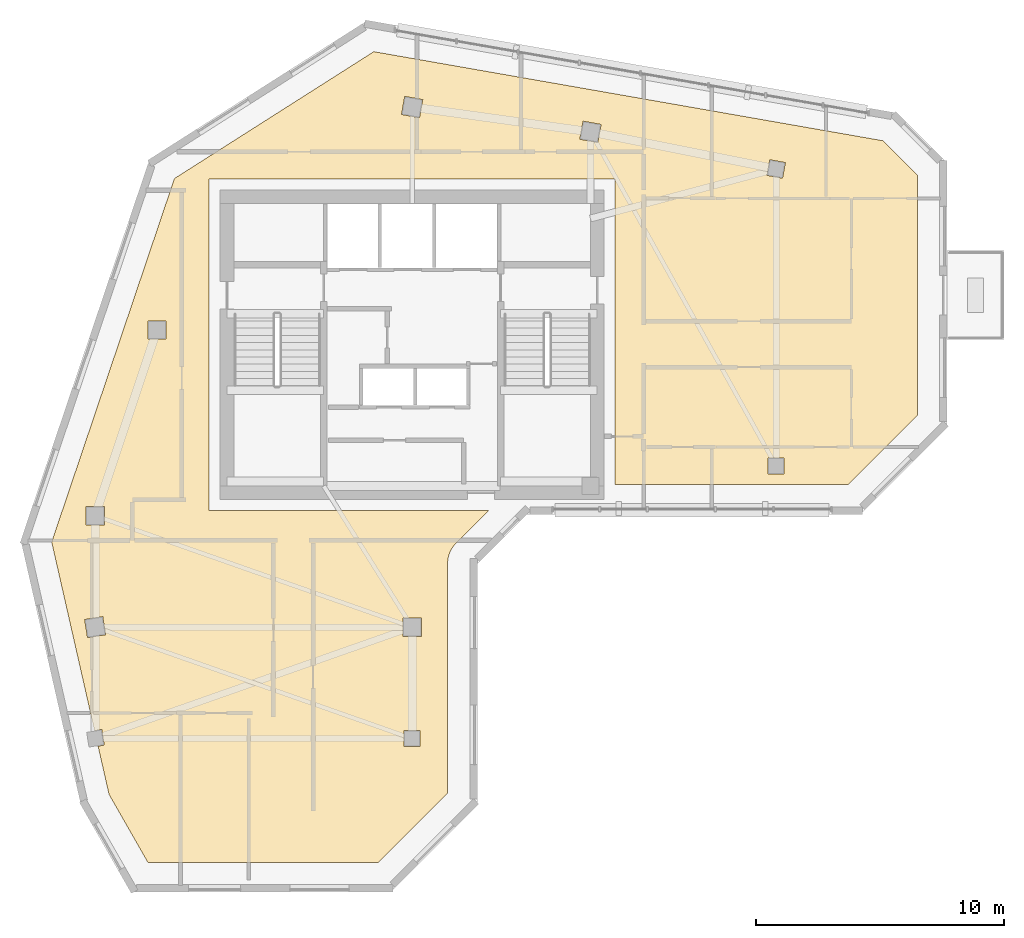
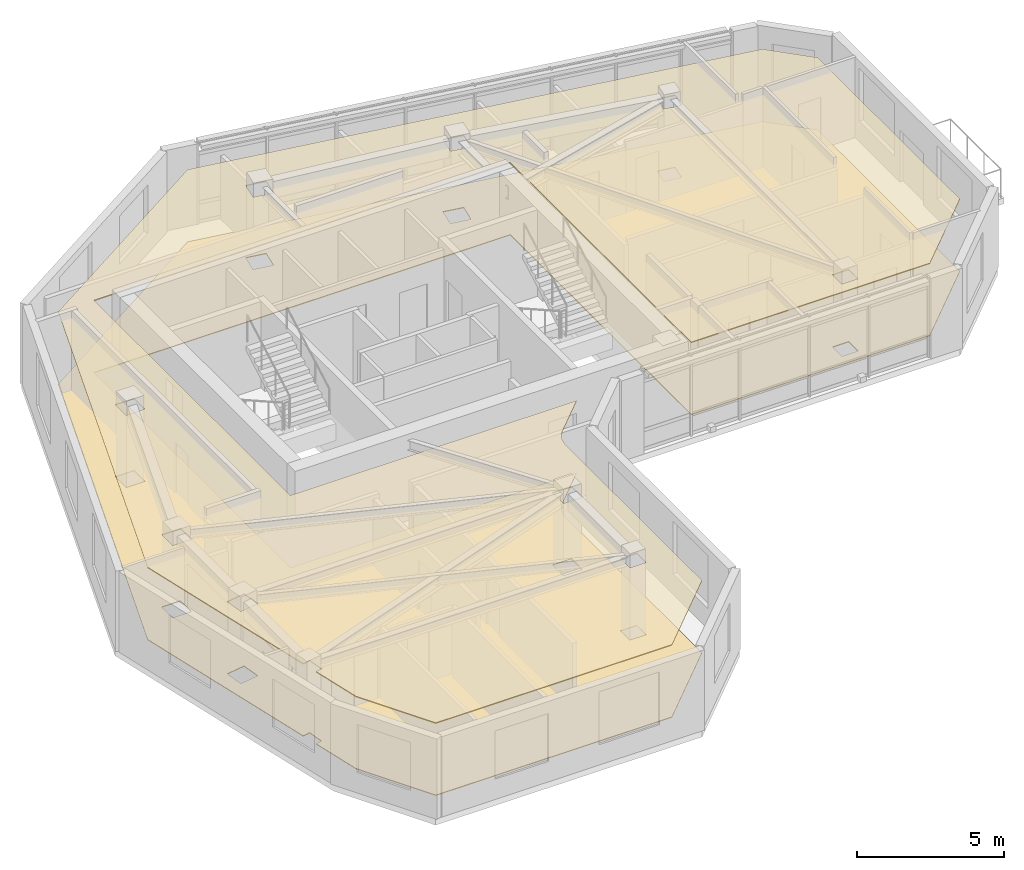
# One storey, part 8 of 9: 2 coverings.
"""IFC4 building model written with IfcOpenShell, lengths in metres."""

from ifc_helpers import new_model, si_unit, direction, frame, origin, place, context, subcontext, project, spatial, polyline, outline, extrude, material, layer, layer_set, type_object, element, save


model = new_model("IFC4")

# Units and contexts
model_context = context("Model", 3, precision=1e-05, world=origin(), true_north=direction((0.0, 1.0)))
body_context = subcontext(model_context, "Body", "Model", "MODEL_VIEW")
ifc_project = project(units=[si_unit("LENGTHUNIT", "METRE"), si_unit("AREAUNIT", "SQUARE_METRE"), si_unit("VOLUMEUNIT", "CUBIC_METRE"), si_unit("PLANEANGLEUNIT", "RADIAN"), si_unit("MASSUNIT", "GRAM", prefix="KILO")], contexts=[model_context])

# Site, building, storey
site_placement = place(None, origin())
site = spatial("IfcSite", under=ifc_project, at=site_placement, CompositionType="ELEMENT")
building_placement = place(site_placement, origin())
building = spatial("IfcBuilding", under=site, at=building_placement, Name="Calvemar Wedge Station Tower", CompositionType="ELEMENT")
storey_placement = place(building_placement, frame((0.0, 0.0, 260.10009765625)))
storey = spatial("IfcBuildingStorey", under=building, at=storey_placement, Name="L66", CompositionType="ELEMENT", Elevation=260.10009765625)

# Coverings
ifc_material_1 = material(Name="Moisture-resistant gypsum ceiling")
ifc_layer_1 = layer(ifc_material_1, 0.0400390625)
ifc_layer_set_1 = layer_set([ifc_layer_1], Name="Moisture-resistant gypsum ceiling")
covering_type_1 = type_object("IfcCoveringType", Name="COV-CEIL-GYPSUM", PredefinedType="CEILING", material=ifc_layer_set_1)
covering_1_placement = place(storey_placement, frame((0.0, 0.0, 3.0)))
element("IfcCovering", 1, at=covering_1_placement, inside=storey, type_object=covering_type_1, Name="Storey L66 Acoustic Suspended Ceiling", PredefinedType="CEILING", context=body_context, shape_type="SweptSolid", body=[
    extrude(outline(polyline([(15.60009765625, 33.199951171875), (15.60009765625, 46.60009765625), (32.0, 46.60009765625), (32.0, 34.256103515625), (41.40283203125, 34.256103515625), (44.199951171875, 37.052978515625), (44.199951171875, 46.7587890625), (42.819580078125, 48.139404296875), (22.251708984375, 51.73779296875), (14.201416015625, 46.614990234375), (9.2451171875, 31.936279296875), (10.97607421875, 24.3203125), (11.265380859375, 24.36669921875), (11.36669921875, 23.734619140625), (11.118408203125, 23.69482421875), (11.5625, 21.740234375), (13.12841796875, 19.0), (22.434814453125, 19.0), (25.23193359375, 21.797119140625), (25.23193359375, 31.055908203125), (25.23779296875, 31.173583984375), (25.255126953125, 31.2900390625), (25.28369140625, 31.404296875), (25.3232421875, 31.51513671875), (25.373779296875, 31.62158203125), (25.43408203125, 31.72265625), (25.50439453125, 31.8173828125), (25.58349609375, 31.904541015625), (26.87890625, 33.199951171875), (15.60009765625, 33.199951171875)]), holes=[polyline([(11.3701171875, 33.3701171875), (11.3701171875, 32.6298828125), (10.6298828125, 32.6298828125), (10.6298828125, 33.3701171875), (11.3701171875, 33.3701171875)]), polyline([(13.8701171875, 40.1298828125), (13.1298828125, 40.1298828125), (13.1298828125, 40.8701171875), (13.8701171875, 40.8701171875), (13.8701171875, 40.1298828125)]), polyline([(23.370361328125, 49.201416015625), (23.50146484375, 49.9296875), (24.229736328125, 49.798583984375), (24.0986328125, 49.0703125), (23.370361328125, 49.201416015625)]), polyline([(30.701416015625, 48.9296875), (31.4296875, 48.798583984375), (31.298583984375, 48.0703125), (30.5703125, 48.201416015625), (30.701416015625, 48.9296875)]), polyline([(38.87158203125, 47.25830078125), (38.75830078125, 46.62841796875), (38.12841796875, 46.74169921875), (38.24169921875, 47.37158203125), (38.87158203125, 47.25830078125)]), polyline([(38.820068359375, 34.679931640625), (38.179931640625, 34.679931640625), (38.179931640625, 35.320068359375), (38.820068359375, 35.320068359375), (38.820068359375, 34.679931640625)]), polyline([(10.576171875, 28.806884765625), (11.306884765625, 28.923828125), (11.423828125, 28.193115234375), (10.693115234375, 28.076171875), (10.576171875, 28.806884765625)]), polyline([(24.169921875, 28.8701171875), (24.169921875, 28.1298828125), (23.429931640625, 28.1298828125), (23.429931640625, 28.8701171875), (24.169921875, 28.8701171875)]), polyline([(24.1201171875, 23.679931640625), (23.47998046875, 23.679931640625), (23.47998046875, 24.320068359375), (24.1201171875, 24.320068359375), (24.1201171875, 23.679931640625)])]), origin(), (0.0, 0.0, 1.0), 0.039794921875),
])
ifc_material_2 = material(Name="Honed coastal granite stone tile", Category="masonry")
ifc_layer_2 = layer(ifc_material_2, 0.030029296875)
ifc_layer_set_2 = layer_set([ifc_layer_2], Name="Honed coastal granite stone tile")
covering_type_2 = type_object("IfcCoveringType", Name="COV-FLR-STONE", PredefinedType="FLOORING", material=ifc_layer_set_2)
covering_2_placement = place(storey_placement, origin())
element("IfcCovering", 2, at=covering_2_placement, inside=storey, type_object=covering_type_2, Name="Storey L66 Architectural Floor Finish", PredefinedType="FLOORING", context=body_context, shape_type="SweptSolid", body=[
    extrude(outline(polyline([(15.60009765625, 33.199951171875), (15.60009765625, 46.60009765625), (32.0, 46.60009765625), (32.0, 34.256103515625), (41.40283203125, 34.256103515625), (44.199951171875, 37.052978515625), (44.199951171875, 46.7587890625), (42.819580078125, 48.139404296875), (22.251708984375, 51.73779296875), (14.201416015625, 46.614990234375), (9.2451171875, 31.936279296875), (10.97607421875, 24.3203125), (11.265380859375, 24.36669921875), (11.36669921875, 23.734619140625), (11.118408203125, 23.69482421875), (11.5625, 21.740234375), (13.12841796875, 19.0), (22.434814453125, 19.0), (25.23193359375, 21.797119140625), (25.23193359375, 31.055908203125), (25.23779296875, 31.173583984375), (25.255126953125, 31.2900390625), (25.28369140625, 31.404296875), (25.3232421875, 31.51513671875), (25.373779296875, 31.62158203125), (25.43408203125, 31.72265625), (25.50439453125, 31.8173828125), (25.58349609375, 31.904541015625), (26.87890625, 33.199951171875), (15.60009765625, 33.199951171875)]), holes=[polyline([(11.3701171875, 33.3701171875), (11.3701171875, 32.6298828125), (10.6298828125, 32.6298828125), (10.6298828125, 33.3701171875), (11.3701171875, 33.3701171875)]), polyline([(13.8701171875, 40.1298828125), (13.1298828125, 40.1298828125), (13.1298828125, 40.8701171875), (13.8701171875, 40.8701171875), (13.8701171875, 40.1298828125)]), polyline([(23.370361328125, 49.201416015625), (23.50146484375, 49.9296875), (24.229736328125, 49.798583984375), (24.0986328125, 49.0703125), (23.370361328125, 49.201416015625)]), polyline([(30.701416015625, 48.9296875), (31.4296875, 48.798583984375), (31.298583984375, 48.0703125), (30.5703125, 48.201416015625), (30.701416015625, 48.9296875)]), polyline([(38.87158203125, 47.25830078125), (38.75830078125, 46.62841796875), (38.12841796875, 46.74169921875), (38.24169921875, 47.37158203125), (38.87158203125, 47.25830078125)]), polyline([(38.820068359375, 34.679931640625), (38.179931640625, 34.679931640625), (38.179931640625, 35.320068359375), (38.820068359375, 35.320068359375), (38.820068359375, 34.679931640625)]), polyline([(10.576171875, 28.806884765625), (11.306884765625, 28.923828125), (11.423828125, 28.193115234375), (10.693115234375, 28.076171875), (10.576171875, 28.806884765625)]), polyline([(24.169921875, 28.8701171875), (24.169921875, 28.1298828125), (23.429931640625, 28.1298828125), (23.429931640625, 28.8701171875), (24.169921875, 28.8701171875)]), polyline([(24.1201171875, 23.679931640625), (23.47998046875, 23.679931640625), (23.47998046875, 24.320068359375), (24.1201171875, 24.320068359375), (24.1201171875, 23.679931640625)])]), origin(), (0.0, 0.0, 1.0), 0.02978515625),
])

save(model, "model.ifc")
